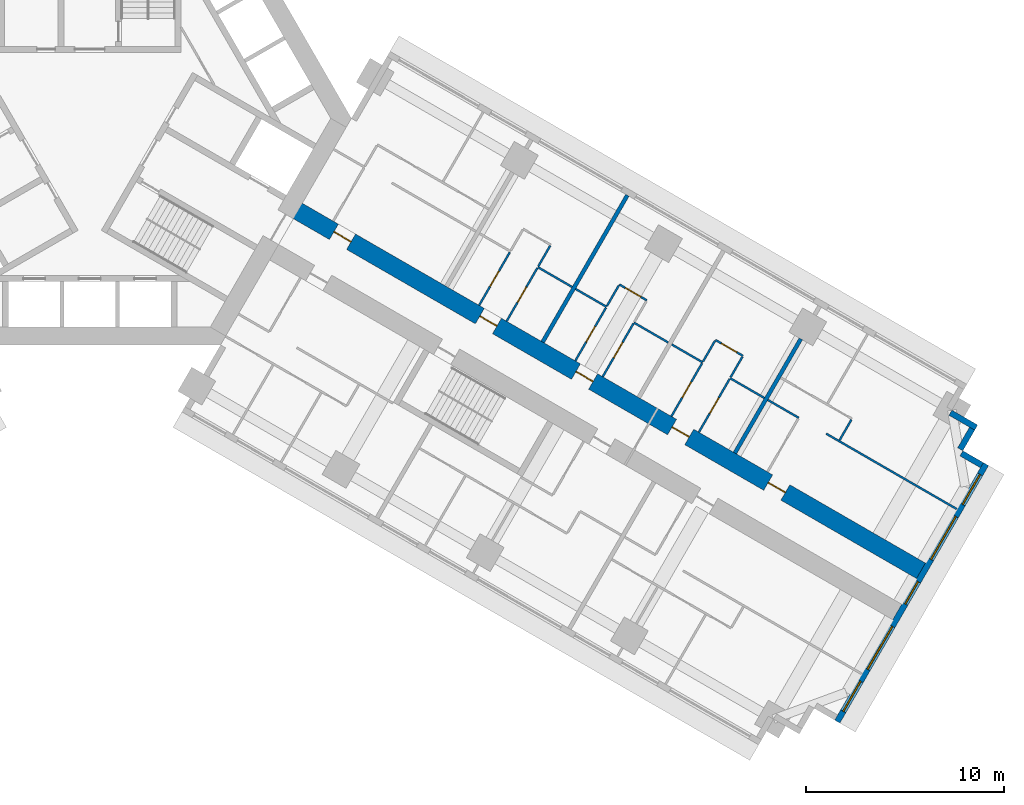
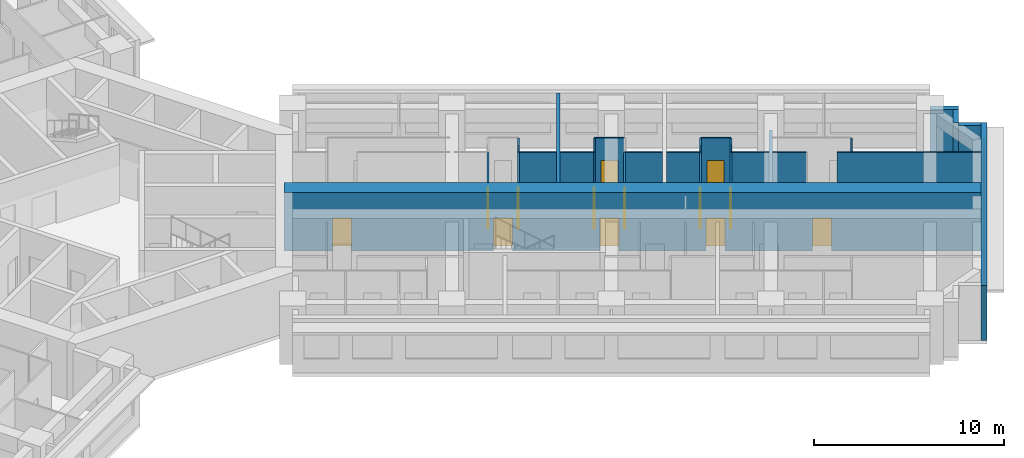
# One storey, part 12 of 16: 27 walls, 13 doors, 5 windows, 18 openings.
"""IFC4 building model written with IfcOpenShell, lengths in metres."""

from ifc_helpers import new_model, si_unit, direction, frame, frame_2d, origin, place, context, subcontext, project, spatial, rectangle, extrude, material, layer, layer_set, type_object, element, fill, save


model = new_model("IFC4")

# Units and contexts
model_context = context("Model", 3, precision=1e-05, world=origin(), true_north=direction((0.0, 1.0)))
body_context = subcontext(model_context, "Body", "Model", "MODEL_VIEW")
ifc_project = project(units=[si_unit("LENGTHUNIT", "METRE"), si_unit("AREAUNIT", "SQUARE_METRE"), si_unit("VOLUMEUNIT", "CUBIC_METRE"), si_unit("PLANEANGLEUNIT", "RADIAN"), si_unit("MASSUNIT", "GRAM", prefix="KILO")], contexts=[model_context])

# Site, building, storey
site_placement = place(None, origin())
site = spatial("IfcSite", under=ifc_project, at=site_placement, CompositionType="ELEMENT")
building_placement = place(site_placement, origin())
building = spatial("IfcBuilding", under=site, at=building_placement, Name="Impinga Residences", CompositionType="ELEMENT")
storey_placement = place(building_placement, frame((0.0, 0.0, 67.25)))
storey = spatial("IfcBuildingStorey", under=building, at=storey_placement, Name="L16", CompositionType="ELEMENT", Elevation=67.25)

# Wall, openings, doors
ifc_material_1 = material(Name="Concrete C70/85", Category="concrete")
ifc_layer_1 = layer(ifc_material_1, 0.89990234375)
ifc_layer_set_1 = layer_set([ifc_layer_1], Name="Concrete C70/85")
wall_type_1 = type_object("IfcWallType", Name="BW1 corridor buttress wall, L05 to L22 900", PredefinedType="SHEAR", material=ifc_layer_set_1)
wall_1_placement = place(storey_placement, frame((10.1103515625, -4.451416015625, 0.0), z_axis=(0.0, 0.0, 1.0), x_axis=(0.866025284237, -0.500000207062, 0.0)))
wall_1 = element("IfcWall", 1, at=wall_1_placement, inside=storey, type_object=wall_type_1, Name="Corridor wall BW1 EC L16", PredefinedType="SHEAR", context=body_context, shape_type="SweptSolid", body=[
    extrude(rectangle(XDim=36.75, YDim=0.89990234375, at=frame_2d((18.375, 0.0))), origin(), (0.0, 0.0, 1.0), 3.75),
])
opening_1_placement = place(wall_1_placement, frame((2.550048828125, 0.0, 0.0)))
opening_1 = element("IfcOpeningElement", 2, at=opening_1_placement, cuts=wall_1, Name="Opening D1", PredefinedType="OPENING", context=body_context, shape_type="SweptSolid", body=[
    extrude(rectangle(XDim=1.0, YDim=2.10009765625, at=frame_2d((0.5, 1.050048828125))), frame((0.0, 0.4599609375, 0.0), z_axis=(0.0, -1.0, 0.0), x_axis=(1.0, 0.0, 0.0)), (0.0, 0.0, 1.0), 0.919921875),
])
opening_2_placement = place(wall_1_placement, frame((11.050048828125, 0.0, 0.0)))
opening_2 = element("IfcOpeningElement", 3, at=opening_2_placement, cuts=wall_1, Name="Opening D1", PredefinedType="OPENING", context=body_context, shape_type="SweptSolid", body=[
    extrude(rectangle(XDim=1.0, YDim=2.10009765625, at=frame_2d((0.5, 1.050048828125))), frame((0.0, 0.4599609375, 0.0), z_axis=(0.0, -1.0, 0.0), x_axis=(1.0, 0.0, 0.0)), (0.0, 0.0, 1.0), 0.919921875),
])
opening_3_placement = place(wall_1_placement, frame((16.64990234375, 0.0, 0.0)))
opening_3 = element("IfcOpeningElement", 4, at=opening_3_placement, cuts=wall_1, Name="Opening D1", PredefinedType="OPENING", context=body_context, shape_type="SweptSolid", body=[
    extrude(rectangle(XDim=1.0, YDim=2.10009765625, at=frame_2d((0.5, 1.050048828125))), frame((0.0, 0.4599609375, 0.0), z_axis=(0.0, -1.0, 0.0), x_axis=(1.0, 0.0, 0.0)), (0.0, 0.0, 1.0), 0.919921875),
])
opening_4_placement = place(wall_1_placement, frame((22.25, 0.0, 0.0)))
opening_4 = element("IfcOpeningElement", 5, at=opening_4_placement, cuts=wall_1, Name="Opening D1", PredefinedType="OPENING", context=body_context, shape_type="SweptSolid", body=[
    extrude(rectangle(XDim=1.0, YDim=2.10009765625, at=frame_2d((0.5, 1.050048828125))), frame((0.0, 0.4599609375, 0.0), z_axis=(0.0, -1.0, 0.0), x_axis=(1.0, 0.0, 0.0)), (0.0, 0.0, 1.0), 0.919921875),
])
opening_5_placement = place(wall_1_placement, frame((27.85009765625, 0.0, 0.0)))
opening_5 = element("IfcOpeningElement", 6, at=opening_5_placement, cuts=wall_1, Name="Opening D1", PredefinedType="OPENING", context=body_context, shape_type="SweptSolid", body=[
    extrude(rectangle(XDim=1.0, YDim=2.10009765625, at=frame_2d((0.5, 1.050048828125))), frame((0.0, 0.4599609375, 0.0), z_axis=(0.0, -1.0, 0.0), x_axis=(1.0, 0.0, 0.0)), (0.0, 0.0, 1.0), 0.919921875),
])
ifc_material_2 = material(Name="Timber door set", Category="wood")
door_type_1 = type_object("IfcDoorType", Name="D1 apartment entrance door 1000x2100", OperationType="SINGLE_SWING_LEFT", PredefinedType="DOOR", material=ifc_material_2)
door_1_placement = place(opening_1_placement, origin())
door_1 = element("IfcDoor", 7, at=door_1_placement, inside=storey, type_object=door_type_1, Name="Apartment L16-EA1 entrance", OperationType="SINGLE_SWING_LEFT", OverallHeight=2.10009765625, OverallWidth=1.0, PredefinedType="DOOR", context=body_context, shape_type="SweptSolid", body=[
    extrude(rectangle(XDim=1.0, YDim=2.10009765625, at=frame_2d((0.5, 1.050048828125))), frame((0.0, 0.02490234375, 0.0), z_axis=(0.0, -1.0, 0.0), x_axis=(1.0, 0.0, 0.0)), (0.0, 0.0, 1.0), 0.050048828125),
])
fill(opening_1, door_1)
door_2_placement = place(opening_2_placement, origin())
door_2 = element("IfcDoor", 8, at=door_2_placement, inside=storey, type_object=door_type_1, Name="Apartment L16-EA2 entrance", OperationType="SINGLE_SWING_LEFT", OverallHeight=2.10009765625, OverallWidth=1.0, PredefinedType="DOOR", context=body_context, shape_type="SweptSolid", body=[
    extrude(rectangle(XDim=1.0, YDim=2.10009765625, at=frame_2d((0.5, 1.050048828125))), frame((0.0, 0.02490234375, 0.0), z_axis=(0.0, -1.0, 0.0), x_axis=(1.0, 0.0, 0.0)), (0.0, 0.0, 1.0), 0.050048828125),
])
fill(opening_2, door_2)
door_3_placement = place(opening_3_placement, origin())
door_3 = element("IfcDoor", 9, at=door_3_placement, inside=storey, type_object=door_type_1, Name="Apartment L16-EA3 entrance", OperationType="SINGLE_SWING_LEFT", OverallHeight=2.10009765625, OverallWidth=1.0, PredefinedType="DOOR", context=body_context, shape_type="SweptSolid", body=[
    extrude(rectangle(XDim=1.0, YDim=2.10009765625, at=frame_2d((0.5, 1.050048828125))), frame((0.0, 0.02490234375, 0.0), z_axis=(0.0, -1.0, 0.0), x_axis=(1.0, 0.0, 0.0)), (0.0, 0.0, 1.0), 0.050048828125),
])
fill(opening_3, door_3)
door_4_placement = place(opening_4_placement, origin())
door_4 = element("IfcDoor", 10, at=door_4_placement, inside=storey, type_object=door_type_1, Name="Apartment L16-EA4 entrance", OperationType="SINGLE_SWING_RIGHT", OverallHeight=2.10009765625, OverallWidth=1.0, PredefinedType="DOOR", context=body_context, shape_type="SweptSolid", body=[
    extrude(rectangle(XDim=1.0, YDim=2.10009765625, at=frame_2d((0.5, 1.050048828125))), frame((0.0, 0.02490234375, 0.0), z_axis=(0.0, -1.0, 0.0), x_axis=(1.0, 0.0, 0.0)), (0.0, 0.0, 1.0), 0.050048828125),
])
fill(opening_4, door_4)
door_5_placement = place(opening_5_placement, origin())
door_5 = element("IfcDoor", 11, at=door_5_placement, inside=storey, type_object=door_type_1, Name="Apartment L16-EA5 entrance", OperationType="SINGLE_SWING_RIGHT", OverallHeight=2.10009765625, OverallWidth=1.0, PredefinedType="DOOR", context=body_context, shape_type="SweptSolid", body=[
    extrude(rectangle(XDim=1.0, YDim=2.10009765625, at=frame_2d((0.5, 1.050048828125))), frame((0.0, 0.02490234375, 0.0), z_axis=(0.0, -1.0, 0.0), x_axis=(1.0, 0.0, 0.0)), (0.0, 0.0, 1.0), 0.050048828125),
])
fill(opening_5, door_5)

# Walls
ifc_material_3 = material(Name="Terracotta rainscreen on blockwork", Category="masonry")
ifc_layer_2 = layer(ifc_material_3, 0.300048828125)
ifc_layer_set_2 = layer_set([ifc_layer_2], Name="EW1 external wall, terracotta rainscreen on blockwork 300")
wall_type_2 = type_object("IfcWallType", Name="EW1 external wall, terracotta rainscreen on blockwork 300", PredefinedType="SOLIDWALL", material=ifc_layer_set_2)
wall_2_placement = place(storey_placement, frame((43.42333984375, -14.8515625, 0.0), z_axis=(0.0, 0.0, 1.0), x_axis=(0.866031096941, -0.499990139034, 0.0)))
element("IfcWall", 12, at=wall_2_placement, inside=storey, type_object=wall_type_2, Name="External wall EW1 L16", PredefinedType="SOLIDWALL", context=body_context, shape_type="SweptSolid", body=[
    extrude(rectangle(XDim=1.5, YDim=0.300048828125, at=frame_2d((0.75, 0.0))), origin(), (0.0, 0.0, 1.0), 3.530029296875),
])
wall_3_placement = place(storey_placement, frame((44.517578125, -15.65625, 0.0), z_axis=(0.0, 0.0, 1.0), x_axis=(-0.500033551112, -0.866006032174, 0.0)))
element("IfcWall", 13, at=wall_3_placement, inside=storey, type_object=wall_type_2, Name="External wall EW1 L16", PredefinedType="SOLIDWALL", context=body_context, shape_type="SweptSolid", body=[
    extrude(rectangle(XDim=1.2001953125, YDim=0.300048828125, at=frame_2d((0.60009765625, 0.0))), origin(), (0.0, 0.0, 1.0), 3.530029296875),
])
wall_4_placement = place(storey_placement, frame((43.976806640625, -16.903076171875, 0.0), z_axis=(0.0, 0.0, 1.0), x_axis=(0.866059708757, -0.499940577336, 0.0)))
element("IfcWall", 14, at=wall_4_placement, inside=storey, type_object=wall_type_2, Name="External wall EW1 L16", PredefinedType="SOLIDWALL", context=body_context, shape_type="SweptSolid", body=[
    extrude(rectangle(XDim=1.195068359375, YDim=0.300048828125, at=frame_2d((0.59765625, 0.0))), origin(), (0.0, 0.0, 1.0), 3.530029296875),
])

# Wall, openings, windows
wall_5_placement = place(storey_placement, frame((45.216552734375, -17.445556640625, 0.0), z_axis=(0.0, 0.0, 1.0), x_axis=(-0.499997186618, -0.866027028085, 0.0)))
wall_5 = element("IfcWall", 15, at=wall_5_placement, inside=storey, type_object=wall_type_2, Name="External wall EW1 L16", PredefinedType="SOLIDWALL", context=body_context, shape_type="SweptSolid", body=[
    extrude(rectangle(XDim=15.0, YDim=0.300048828125, at=frame_2d((7.5, 0.0))), origin(), (0.0, 0.0, 1.0), 3.530029296875),
])
opening_6_placement = place(wall_5_placement, frame((0.60009765625, 0.0, 0.89990234375)))
opening_6 = element("IfcOpeningElement", 16, at=opening_6_placement, cuts=wall_5, Name="Opening W1", PredefinedType="OPENING", context=body_context, shape_type="SweptSolid", body=[
    extrude(rectangle(XDim=1.75, YDim=2.050048828125, at=frame_2d((0.875, 1.02490234375))), frame((0.0, 0.159912109375, 0.0), z_axis=(0.0, -1.0, 0.0), x_axis=(1.0, 0.0, 0.0)), (0.0, 0.0, 1.0), 0.320068359375),
])
opening_7_placement = place(wall_5_placement, frame((3.050048828125, 0.0, 0.89990234375)))
opening_7 = element("IfcOpeningElement", 17, at=opening_7_placement, cuts=wall_5, Name="Opening W2", PredefinedType="OPENING", context=body_context, shape_type="SweptSolid", body=[
    extrude(rectangle(XDim=2.5, YDim=2.050048828125, at=frame_2d((1.25, 1.02490234375))), frame((0.0, 0.159912109375, 0.0), z_axis=(0.0, -1.0, 0.0), x_axis=(1.0, 0.0, 0.0)), (0.0, 0.0, 1.0), 0.320068359375),
])
opening_8_placement = place(wall_5_placement, frame((6.85009765625, 0.0, 0.89990234375)))
opening_8 = element("IfcOpeningElement", 18, at=opening_8_placement, cuts=wall_5, Name="Opening WE1", PredefinedType="OPENING", context=body_context, shape_type="SweptSolid", body=[
    extrude(rectangle(XDim=1.300048828125, YDim=2.050048828125, at=frame_2d((0.64990234375, 1.02490234375))), frame((0.0, 0.159912109375, 0.0), z_axis=(0.0, -1.0, 0.0), x_axis=(1.0, 0.0, 0.0)), (0.0, 0.0, 1.0), 0.320068359375),
])
opening_9_placement = place(wall_5_placement, frame((9.449951171875, 0.0, 0.89990234375)))
opening_9 = element("IfcOpeningElement", 19, at=opening_9_placement, cuts=wall_5, Name="Opening W2", PredefinedType="OPENING", context=body_context, shape_type="SweptSolid", body=[
    extrude(rectangle(XDim=2.5, YDim=2.050048828125, at=frame_2d((1.25, 1.02490234375))), frame((0.0, 0.159912109375, 0.0), z_axis=(0.0, -1.0, 0.0), x_axis=(1.0, 0.0, 0.0)), (0.0, 0.0, 1.0), 0.320068359375),
])
opening_10_placement = place(wall_5_placement, frame((12.64990234375, 0.0, 0.89990234375)))
opening_10 = element("IfcOpeningElement", 20, at=opening_10_placement, cuts=wall_5, Name="Opening W1", PredefinedType="OPENING", context=body_context, shape_type="SweptSolid", body=[
    extrude(rectangle(XDim=1.75, YDim=2.050048828125, at=frame_2d((0.875, 1.02490234375))), frame((0.0, 0.159912109375, 0.0), z_axis=(0.0, -1.0, 0.0), x_axis=(1.0, 0.0, 0.0)), (0.0, 0.0, 1.0), 0.320068359375),
])
ifc_material_4 = material(Name="Aluminium window, clear double glazing", Category="aluminium")
window_type_1 = type_object("IfcWindowType", Name="W1 ribbon window 1750x2050", PartitioningType="SINGLE_PANEL", PredefinedType="WINDOW", material=ifc_material_4)
window_1_placement = place(opening_6_placement, origin())
window_1 = element("IfcWindow", 21, at=window_1_placement, inside=storey, type_object=window_type_1, Name="Window L16", OverallHeight=2.050048828125, OverallWidth=1.75, PartitioningType="SINGLE_PANEL", PredefinedType="WINDOW", context=body_context, shape_type="SweptSolid", body=[
    extrude(rectangle(XDim=1.75, YDim=2.050048828125, at=frame_2d((0.875, 1.02490234375))), frame((0.0, 0.030029296875, 0.0), z_axis=(0.0, -1.0, 0.0), x_axis=(1.0, 0.0, 0.0)), (0.0, 0.0, 1.0), 0.06005859375),
])
fill(opening_6, window_1)
window_2_placement = place(opening_10_placement, origin())
window_2 = element("IfcWindow", 22, at=window_2_placement, inside=storey, type_object=window_type_1, Name="Window L16", OverallHeight=2.050048828125, OverallWidth=1.75, PartitioningType="SINGLE_PANEL", PredefinedType="WINDOW", context=body_context, shape_type="SweptSolid", body=[
    extrude(rectangle(XDim=1.75, YDim=2.050048828125, at=frame_2d((0.875, 1.02490234375))), frame((0.0, 0.030029296875, 0.0), z_axis=(0.0, -1.0, 0.0), x_axis=(1.0, 0.0, 0.0)), (0.0, 0.0, 1.0), 0.06005859375),
])
fill(opening_10, window_2)
window_type_2 = type_object("IfcWindowType", Name="W2 ribbon window 2500x2050", PartitioningType="SINGLE_PANEL", PredefinedType="WINDOW", material=ifc_material_4)
window_3_placement = place(opening_7_placement, origin())
window_3 = element("IfcWindow", 23, at=window_3_placement, inside=storey, type_object=window_type_2, Name="Window L16", OverallHeight=2.050048828125, OverallWidth=2.5, PartitioningType="SINGLE_PANEL", PredefinedType="WINDOW", context=body_context, shape_type="SweptSolid", body=[
    extrude(rectangle(XDim=2.5, YDim=2.050048828125, at=frame_2d((1.25, 1.02490234375))), frame((0.0, 0.030029296875, 0.0), z_axis=(0.0, -1.0, 0.0), x_axis=(1.0, 0.0, 0.0)), (0.0, 0.0, 1.0), 0.06005859375),
])
fill(opening_7, window_3)
window_4_placement = place(opening_9_placement, origin())
window_4 = element("IfcWindow", 24, at=window_4_placement, inside=storey, type_object=window_type_2, Name="Window L16", OverallHeight=2.050048828125, OverallWidth=2.5, PartitioningType="SINGLE_PANEL", PredefinedType="WINDOW", context=body_context, shape_type="SweptSolid", body=[
    extrude(rectangle(XDim=2.5, YDim=2.050048828125, at=frame_2d((1.25, 1.02490234375))), frame((0.0, 0.030029296875, 0.0), z_axis=(0.0, -1.0, 0.0), x_axis=(1.0, 0.0, 0.0)), (0.0, 0.0, 1.0), 0.06005859375),
])
fill(opening_9, window_4)
window_type_3 = type_object("IfcWindowType", Name="WE1 corridor window 1300x2050", PartitioningType="SINGLE_PANEL", PredefinedType="WINDOW", material=ifc_material_4)
window_5_placement = place(opening_8_placement, origin())
window_5 = element("IfcWindow", 25, at=window_5_placement, inside=storey, type_object=window_type_3, Name="Window L16", OverallHeight=2.050048828125, OverallWidth=1.300048828125, PartitioningType="SINGLE_PANEL", PredefinedType="WINDOW", context=body_context, shape_type="SweptSolid", body=[
    extrude(rectangle(XDim=1.300048828125, YDim=2.050048828125, at=frame_2d((0.64990234375, 1.02490234375))), frame((0.0, 0.030029296875, 0.0), z_axis=(0.0, -1.0, 0.0), x_axis=(1.0, 0.0, 0.0)), (0.0, 0.0, 1.0), 0.06005859375),
])
fill(opening_8, window_5)

# Walls
ifc_material_5 = material(Name="Gypsum board on steel studs", Category="steel")
ifc_layer_3 = layer(ifc_material_5, 0.10009765625)
ifc_layer_set_3 = layer_set([ifc_layer_3], Name="Gypsum board on steel studs")
wall_type_3 = type_object("IfcWallType", Name="IP1 partition 100", PredefinedType="PARTITIONING", material=ifc_layer_set_3)
wall_6_placement = place(storey_placement, frame((22.605712890625, -7.5087890625, 0.0), z_axis=(0.0, 0.0, 1.0), x_axis=(0.866010750942, -0.50002537861, 0.0)))
element("IfcWall", 26, at=wall_6_placement, inside=storey, type_object=wall_type_3, Name="Partition L16-EA2:DIV1", PredefinedType="PARTITIONING", context=body_context, shape_type="SweptSolid", body=[
    extrude(rectangle(XDim=2.0, YDim=0.10009765625, at=frame_2d((1.0, 0.0))), origin(), (0.0, 0.0, 1.0), 3.530029296875),
])
wall_7_placement = place(storey_placement, frame((22.630615234375, -7.465576171875, 0.0), z_axis=(0.0, 0.0, 1.0), x_axis=(0.500033551112, 0.866006032174, 0.0)))
element("IfcWall", 27, at=wall_7_placement, inside=storey, type_object=wall_type_3, Name="Partition L16-EA2:SE1", PredefinedType="PARTITIONING", context=body_context, shape_type="SweptSolid", body=[
    extrude(rectangle(XDim=1.2001953125, YDim=0.10009765625, at=frame_2d((0.60009765625, 0.0))), origin(), (0.0, 0.0, 1.0), 3.530029296875),
])

# Wall, opening, door
wall_8_placement = place(storey_placement, frame((19.64501953125, -9.436767578125, 0.0), z_axis=(0.0, 0.0, 1.0), x_axis=(0.500026960575, 0.86600983753, 0.0)))
wall_8 = element("IfcWall", 28, at=wall_8_placement, inside=storey, type_object=wall_type_3, Name="Partition L16-EA2:IB1", PredefinedType="PARTITIONING", context=body_context, shape_type="SweptSolid", body=[
    extrude(rectangle(XDim=3.099853515625, YDim=0.10009765625, at=frame_2d((1.5498046875, 0.0))), origin(), (0.0, 0.0, 1.0), 3.530029296875),
])
opening_11_placement = place(wall_8_placement, frame((1.10009765625, 0.0, 0.0)))
opening_11 = element("IfcOpeningElement", 29, at=opening_11_placement, cuts=wall_8, Name="Opening D2", PredefinedType="OPENING", context=body_context, shape_type="SweptSolid", body=[
    extrude(rectangle(XDim=0.89990234375, YDim=2.10009765625, at=frame_2d((0.449951171875, 1.050048828125))), frame((0.0, 0.06005859375, 0.0), z_axis=(0.0, -1.0, 0.0), x_axis=(1.0, 0.0, 0.0)), (0.0, 0.0, 1.0), 0.1201171875),
])
door_type_2 = type_object("IfcDoorType", Name="D2 internal door 900x2100", OperationType="SINGLE_SWING_LEFT", PredefinedType="DOOR", material=ifc_material_2)
door_6_placement = place(opening_11_placement, origin())
door_6 = element("IfcDoor", 30, at=door_6_placement, inside=storey, type_object=door_type_2, Name="Apartment L16-EA2 bathroom door", OperationType="SINGLE_SWING_LEFT", OverallHeight=2.10009765625, OverallWidth=0.89990234375, PredefinedType="DOOR", context=body_context, shape_type="SweptSolid", body=[
    extrude(rectangle(XDim=0.89990234375, YDim=2.10009765625, at=frame_2d((0.449951171875, 1.050048828125))), frame((0.0, 0.02490234375, 0.0), z_axis=(0.0, -1.0, 0.0), x_axis=(1.0, 0.0, 0.0)), (0.0, 0.0, 1.0), 0.050048828125),
])
fill(opening_11, door_6)

wall_9_placement = place(storey_placement, frame((21.03076171875, -10.23681640625, 0.0), z_axis=(0.0, 0.0, 1.0), x_axis=(0.500026960575, 0.86600983753, 0.0)))
wall_9 = element("IfcWall", 31, at=wall_9_placement, inside=storey, type_object=wall_type_3, Name="Partition L16-EA2:IB2", PredefinedType="PARTITIONING", context=body_context, shape_type="SweptSolid", body=[
    extrude(rectangle(XDim=3.099853515625, YDim=0.10009765625, at=frame_2d((1.5498046875, 0.0))), origin(), (0.0, 0.0, 1.0), 3.530029296875),
])
opening_12_placement = place(wall_9_placement, frame((1.10009765625, 0.0, 0.0)))
opening_12 = element("IfcOpeningElement", 32, at=opening_12_placement, cuts=wall_9, Name="Opening D2", PredefinedType="OPENING", context=body_context, shape_type="SweptSolid", body=[
    extrude(rectangle(XDim=0.89990234375, YDim=2.10009765625, at=frame_2d((0.449951171875, 1.050048828125))), frame((0.0, 0.06005859375, 0.0), z_axis=(0.0, -1.0, 0.0), x_axis=(1.0, 0.0, 0.0)), (0.0, 0.0, 1.0), 0.1201171875),
])
door_7_placement = place(opening_12_placement, origin())
door_7 = element("IfcDoor", 33, at=door_7_placement, inside=storey, type_object=door_type_2, Name="Apartment L16-EA2 WC door", OperationType="SINGLE_SWING_LEFT", OverallHeight=2.10009765625, OverallWidth=0.89990234375, PredefinedType="DOOR", context=body_context, shape_type="SweptSolid", body=[
    extrude(rectangle(XDim=0.89990234375, YDim=2.10009765625, at=frame_2d((0.449951171875, 1.050048828125))), frame((0.0, 0.02490234375, 0.0), z_axis=(0.0, -1.0, 0.0), x_axis=(1.0, 0.0, 0.0)), (0.0, 0.0, 1.0), 0.050048828125),
])
fill(opening_12, door_7)

# Walls
wall_10_placement = place(storey_placement, frame((24.510986328125, -8.60888671875, 0.0), z_axis=(0.0, 0.0, 1.0), x_axis=(0.866047807691, -0.499961193289, 0.0)))
element("IfcWall", 34, at=wall_10_placement, inside=storey, type_object=wall_type_3, Name="Partition L16-EA3:DIV0", PredefinedType="PARTITIONING", context=body_context, shape_type="SweptSolid", body=[
    extrude(rectangle(XDim=1.800048828125, YDim=0.10009765625, at=frame_2d((0.89990234375, 0.0))), origin(), (0.0, 0.0, 1.0), 3.530029296875),
])
wall_11_placement = place(storey_placement, frame((27.45556640625, -10.308837890625, 0.0), z_axis=(0.0, 0.0, 1.0), x_axis=(0.866010750942, -0.50002537861, 0.0)))
element("IfcWall", 35, at=wall_11_placement, inside=storey, type_object=wall_type_3, Name="Partition L16-EA3:DIV1", PredefinedType="PARTITIONING", context=body_context, shape_type="SweptSolid", body=[
    extrude(rectangle(XDim=2.0, YDim=0.10009765625, at=frame_2d((1.0, 0.0))), origin(), (0.0, 0.0, 1.0), 3.530029296875),
])

# Wall, opening, door
wall_12_placement = place(storey_placement, frame((26.7197265625, -8.383056640625, 0.0), z_axis=(0.0, 0.0, 1.0), x_axis=(0.866028054938, -0.499995408039, 0.0)))
wall_12 = element("IfcWall", 36, at=wall_12_placement, inside=storey, type_object=wall_type_3, Name="Partition L16-EA3:STRIP", PredefinedType="PARTITIONING", context=body_context, shape_type="SweptSolid", body=[
    extrude(rectangle(XDim=1.60009765625, YDim=0.10009765625, at=frame_2d((0.800048828125, 0.0))), origin(), (0.0, 0.0, 1.0), 3.530029296875),
])
opening_13_placement = place(wall_12_placement, frame((0.35009765625, 0.0, 0.0)))
opening_13 = element("IfcOpeningElement", 37, at=opening_13_placement, cuts=wall_12, Name="Opening D2", PredefinedType="OPENING", context=body_context, shape_type="SweptSolid", body=[
    extrude(rectangle(XDim=0.89990234375, YDim=2.10009765625, at=frame_2d((0.449951171875, 1.050048828125))), frame((0.0, 0.06005859375, 0.0), z_axis=(0.0, -1.0, 0.0), x_axis=(1.0, 0.0, 0.0)), (0.0, 0.0, 1.0), 0.1201171875),
])
door_8_placement = place(opening_13_placement, origin())
door_8 = element("IfcDoor", 38, at=door_8_placement, inside=storey, type_object=door_type_2, Name="Apartment L16-EA3 room door", OperationType="SINGLE_SWING_LEFT", OverallHeight=2.10009765625, OverallWidth=0.89990234375, PredefinedType="DOOR", context=body_context, shape_type="SweptSolid", body=[
    extrude(rectangle(XDim=0.89990234375, YDim=2.10009765625, at=frame_2d((0.449951171875, 1.050048828125))), frame((0.0, 0.02490234375, 0.0), z_axis=(0.0, -1.0, 0.0), x_axis=(1.0, 0.0, 0.0)), (0.0, 0.0, 1.0), 0.050048828125),
])
fill(opening_13, door_8)

# Wall
wall_13_placement = place(storey_placement, frame((26.0947265625, -9.465576171875, 0.0), z_axis=(0.0, 0.0, 1.0), x_axis=(0.500033551112, 0.866006032174, 0.0)))
element("IfcWall", 39, at=wall_13_placement, inside=storey, type_object=wall_type_3, Name="Partition L16-EA3:SE0", PredefinedType="PARTITIONING", context=body_context, shape_type="SweptSolid", body=[
    extrude(rectangle(XDim=1.2001953125, YDim=0.10009765625, at=frame_2d((0.60009765625, 0.0))), origin(), (0.0, 0.0, 1.0), 3.530029296875),
])

# Wall, opening, door
wall_14_placement = place(storey_placement, frame((24.494873046875, -12.23681640625, 0.0), z_axis=(0.0, 0.0, 1.0), x_axis=(0.500026960575, 0.86600983753, 0.0)))
wall_14 = element("IfcWall", 40, at=wall_14_placement, inside=storey, type_object=wall_type_3, Name="Partition L16-EA3:IB1", PredefinedType="PARTITIONING", context=body_context, shape_type="SweptSolid", body=[
    extrude(rectangle(XDim=3.099853515625, YDim=0.10009765625, at=frame_2d((1.5498046875, 0.0))), origin(), (0.0, 0.0, 1.0), 3.530029296875),
])
opening_14_placement = place(wall_14_placement, frame((1.10009765625, 0.0, 0.0)))
opening_14 = element("IfcOpeningElement", 41, at=opening_14_placement, cuts=wall_14, Name="Opening D2", PredefinedType="OPENING", context=body_context, shape_type="SweptSolid", body=[
    extrude(rectangle(XDim=0.89990234375, YDim=2.10009765625, at=frame_2d((0.449951171875, 1.050048828125))), frame((0.0, 0.06005859375, 0.0), z_axis=(0.0, -1.0, 0.0), x_axis=(1.0, 0.0, 0.0)), (0.0, 0.0, 1.0), 0.1201171875),
])
door_9_placement = place(opening_14_placement, origin())
door_9 = element("IfcDoor", 42, at=door_9_placement, inside=storey, type_object=door_type_2, Name="Apartment L16-EA3 bathroom door", OperationType="SINGLE_SWING_LEFT", OverallHeight=2.10009765625, OverallWidth=0.89990234375, PredefinedType="DOOR", context=body_context, shape_type="SweptSolid", body=[
    extrude(rectangle(XDim=0.89990234375, YDim=2.10009765625, at=frame_2d((0.449951171875, 1.050048828125))), frame((0.0, 0.02490234375, 0.0), z_axis=(0.0, -1.0, 0.0), x_axis=(1.0, 0.0, 0.0)), (0.0, 0.0, 1.0), 0.050048828125),
])
fill(opening_14, door_9)

wall_15_placement = place(storey_placement, frame((25.88037109375, -13.036865234375, 0.0), z_axis=(0.0, 0.0, 1.0), x_axis=(0.49999285859, 0.86602952684, 0.0)))
wall_15 = element("IfcWall", 43, at=wall_15_placement, inside=storey, type_object=wall_type_3, Name="Partition L16-EA3:IB2", PredefinedType="PARTITIONING", context=body_context, shape_type="SweptSolid", body=[
    extrude(rectangle(XDim=3.10009765625, YDim=0.10009765625, at=frame_2d((1.550048828125, 0.0))), origin(), (0.0, 0.0, 1.0), 3.530029296875),
])
opening_15_placement = place(wall_15_placement, frame((1.10009765625, 0.0, 0.0)))
opening_15 = element("IfcOpeningElement", 44, at=opening_15_placement, cuts=wall_15, Name="Opening D2", PredefinedType="OPENING", context=body_context, shape_type="SweptSolid", body=[
    extrude(rectangle(XDim=0.89990234375, YDim=2.10009765625, at=frame_2d((0.449951171875, 1.050048828125))), frame((0.0, 0.06005859375, 0.0), z_axis=(0.0, -1.0, 0.0), x_axis=(1.0, 0.0, 0.0)), (0.0, 0.0, 1.0), 0.1201171875),
])
door_10_placement = place(opening_15_placement, origin())
door_10 = element("IfcDoor", 45, at=door_10_placement, inside=storey, type_object=door_type_2, Name="Apartment L16-EA3 WC door", OperationType="SINGLE_SWING_LEFT", OverallHeight=2.10009765625, OverallWidth=0.89990234375, PredefinedType="DOOR", context=body_context, shape_type="SweptSolid", body=[
    extrude(rectangle(XDim=0.89990234375, YDim=2.10009765625, at=frame_2d((0.449951171875, 1.050048828125))), frame((0.0, 0.02490234375, 0.0), z_axis=(0.0, -1.0, 0.0), x_axis=(1.0, 0.0, 0.0)), (0.0, 0.0, 1.0), 0.050048828125),
])
fill(opening_15, door_10)

# Walls
wall_16_placement = place(storey_placement, frame((29.360595703125, -11.408935546875, 0.0), z_axis=(0.0, 0.0, 1.0), x_axis=(0.866047807691, -0.499961193289, 0.0)))
element("IfcWall", 46, at=wall_16_placement, inside=storey, type_object=wall_type_3, Name="Partition L16-EA4:DIV0", PredefinedType="PARTITIONING", context=body_context, shape_type="SweptSolid", body=[
    extrude(rectangle(XDim=1.800048828125, YDim=0.10009765625, at=frame_2d((0.89990234375, 0.0))), origin(), (0.0, 0.0, 1.0), 3.530029296875),
])
wall_17_placement = place(storey_placement, frame((32.30517578125, -13.10888671875, 0.0), z_axis=(0.0, 0.0, 1.0), x_axis=(0.866041268327, -0.499972520799, 0.0)))
element("IfcWall", 47, at=wall_17_placement, inside=storey, type_object=wall_type_3, Name="Partition L16-EA4:DIV1", PredefinedType="PARTITIONING", context=body_context, shape_type="SweptSolid", body=[
    extrude(rectangle(XDim=2.0, YDim=0.10009765625, at=frame_2d((1.0, 0.0))), origin(), (0.0, 0.0, 1.0), 3.530029296875),
])

# Wall, opening, door
wall_18_placement = place(storey_placement, frame((31.569580078125, -11.18310546875, 0.0), z_axis=(0.0, 0.0, 1.0), x_axis=(0.866055983265, -0.499947031044, 0.0)))
wall_18 = element("IfcWall", 48, at=wall_18_placement, inside=storey, type_object=wall_type_3, Name="Partition L16-EA4:STRIP", PredefinedType="PARTITIONING", context=body_context, shape_type="SweptSolid", body=[
    extrude(rectangle(XDim=1.599853515625, YDim=0.10009765625, at=frame_2d((0.7998046875, 0.0))), origin(), (0.0, 0.0, 1.0), 3.530029296875),
])
opening_16_placement = place(wall_18_placement, frame((0.35009765625, 0.0, 0.0)))
opening_16 = element("IfcOpeningElement", 49, at=opening_16_placement, cuts=wall_18, Name="Opening D2", PredefinedType="OPENING", context=body_context, shape_type="SweptSolid", body=[
    extrude(rectangle(XDim=0.89990234375, YDim=2.10009765625, at=frame_2d((0.449951171875, 1.050048828125))), frame((0.0, 0.06005859375, 0.0), z_axis=(0.0, -1.0, 0.0), x_axis=(1.0, 0.0, 0.0)), (0.0, 0.0, 1.0), 0.1201171875),
])
door_11_placement = place(opening_16_placement, origin())
door_11 = element("IfcDoor", 50, at=door_11_placement, inside=storey, type_object=door_type_2, Name="Apartment L16-EA4 room door", OperationType="SINGLE_SWING_LEFT", OverallHeight=2.10009765625, OverallWidth=0.89990234375, PredefinedType="DOOR", context=body_context, shape_type="SweptSolid", body=[
    extrude(rectangle(XDim=0.89990234375, YDim=2.10009765625, at=frame_2d((0.449951171875, 1.050048828125))), frame((0.0, 0.02490234375, 0.0), z_axis=(0.0, -1.0, 0.0), x_axis=(1.0, 0.0, 0.0)), (0.0, 0.0, 1.0), 0.050048828125),
])
fill(opening_16, door_11)

# Walls
for number, where, z_axis, x_axis, name in (
    (51, (30.944580078125, -12.265625, 0.0), (0.0, 0.0, 1.0), (0.499880961361, 0.866094119867, 0.0), "Partition L16-EA4:SE0"),
    (52, (32.330078125, -13.0654296875, 0.0), (0.0, 0.0, 1.0), (0.50012165622, 0.865955154139, 0.0), "Partition L16-EA4:SE1"),
):
    element("IfcWall", number, at=place(storey_placement, frame(where, z_axis=z_axis, x_axis=x_axis)), inside=storey, type_object=wall_type_3, Name=name, PredefinedType="PARTITIONING", context=body_context, shape_type="SweptSolid", body=[
        extrude(rectangle(XDim=1.199951171875, YDim=0.10009765625, at=frame_2d((0.60009765625, 0.0))), origin(), (0.0, 0.0, 1.0), 3.530029296875),
    ])

# Wall, opening, door
wall_19_placement = place(storey_placement, frame((29.344482421875, -15.036865234375, 0.0), z_axis=(0.0, 0.0, 1.0), x_axis=(0.49999285859, 0.86602952684, 0.0)))
wall_19 = element("IfcWall", 53, at=wall_19_placement, inside=storey, type_object=wall_type_3, Name="Partition L16-EA4:IB1", PredefinedType="PARTITIONING", context=body_context, shape_type="SweptSolid", body=[
    extrude(rectangle(XDim=3.10009765625, YDim=0.10009765625, at=frame_2d((1.550048828125, 0.0))), origin(), (0.0, 0.0, 1.0), 3.530029296875),
])
opening_17_placement = place(wall_19_placement, frame((1.10009765625, 0.0, 0.0)))
opening_17 = element("IfcOpeningElement", 54, at=opening_17_placement, cuts=wall_19, Name="Opening D2", PredefinedType="OPENING", context=body_context, shape_type="SweptSolid", body=[
    extrude(rectangle(XDim=0.89990234375, YDim=2.10009765625, at=frame_2d((0.449951171875, 1.050048828125))), frame((0.0, 0.06005859375, 0.0), z_axis=(0.0, -1.0, 0.0), x_axis=(1.0, 0.0, 0.0)), (0.0, 0.0, 1.0), 0.1201171875),
])
door_12_placement = place(opening_17_placement, origin())
door_12 = element("IfcDoor", 55, at=door_12_placement, inside=storey, type_object=door_type_2, Name="Apartment L16-EA4 bathroom door", OperationType="SINGLE_SWING_LEFT", OverallHeight=2.10009765625, OverallWidth=0.89990234375, PredefinedType="DOOR", context=body_context, shape_type="SweptSolid", body=[
    extrude(rectangle(XDim=0.89990234375, YDim=2.10009765625, at=frame_2d((0.449951171875, 1.050048828125))), frame((0.0, 0.02490234375, 0.0), z_axis=(0.0, -1.0, 0.0), x_axis=(1.0, 0.0, 0.0)), (0.0, 0.0, 1.0), 0.050048828125),
])
fill(opening_17, door_12)

wall_20_placement = place(storey_placement, frame((30.730224609375, -15.8369140625, 0.0), z_axis=(0.0, 0.0, 1.0), x_axis=(0.49999285859, 0.86602952684, 0.0)))
wall_20 = element("IfcWall", 56, at=wall_20_placement, inside=storey, type_object=wall_type_3, Name="Partition L16-EA4:IB2", PredefinedType="PARTITIONING", context=body_context, shape_type="SweptSolid", body=[
    extrude(rectangle(XDim=3.10009765625, YDim=0.10009765625, at=frame_2d((1.550048828125, 0.0))), origin(), (0.0, 0.0, 1.0), 3.530029296875),
])
opening_18_placement = place(wall_20_placement, frame((1.10009765625, 0.0, 0.0)))
opening_18 = element("IfcOpeningElement", 57, at=opening_18_placement, cuts=wall_20, Name="Opening D2", PredefinedType="OPENING", context=body_context, shape_type="SweptSolid", body=[
    extrude(rectangle(XDim=0.89990234375, YDim=2.10009765625, at=frame_2d((0.449951171875, 1.050048828125))), frame((0.0, 0.06005859375, 0.0), z_axis=(0.0, -1.0, 0.0), x_axis=(1.0, 0.0, 0.0)), (0.0, 0.0, 1.0), 0.1201171875),
])
door_13_placement = place(opening_18_placement, origin())
door_13 = element("IfcDoor", 58, at=door_13_placement, inside=storey, type_object=door_type_2, Name="Apartment L16-EA4 WC door", OperationType="SINGLE_SWING_LEFT", OverallHeight=2.10009765625, OverallWidth=0.89990234375, PredefinedType="DOOR", context=body_context, shape_type="SweptSolid", body=[
    extrude(rectangle(XDim=0.89990234375, YDim=2.10009765625, at=frame_2d((0.449951171875, 1.050048828125))), frame((0.0, 0.02490234375, 0.0), z_axis=(0.0, -1.0, 0.0), x_axis=(1.0, 0.0, 0.0)), (0.0, 0.0, 1.0), 0.050048828125),
])
fill(opening_18, door_13)

# Walls
wall_21_placement = place(storey_placement, frame((34.21044921875, -14.208740234375, 0.0), z_axis=(0.0, 0.0, 1.0), x_axis=(0.865989075817, -0.500062916607, 0.0)))
element("IfcWall", 59, at=wall_21_placement, inside=storey, type_object=wall_type_3, Name="Partition L16-EA5:DIV0", PredefinedType="PARTITIONING", context=body_context, shape_type="SweptSolid", body=[
    extrude(rectangle(XDim=1.800048828125, YDim=0.10009765625, at=frame_2d((0.89990234375, 0.0))), origin(), (0.0, 0.0, 1.0), 3.530029296875),
])
wall_22_placement = place(storey_placement, frame((37.155029296875, -15.908935546875, 0.0), z_axis=(0.0, 0.0, 1.0), x_axis=(0.866036335692, -0.499981064903, 0.0)))
element("IfcWall", 60, at=wall_22_placement, inside=storey, type_object=wall_type_3, Name="Partition L16-EA5:DIV1", PredefinedType="PARTITIONING", context=body_context, shape_type="SweptSolid", body=[
    extrude(rectangle(XDim=7.599853515625, YDim=0.10009765625, at=frame_2d((3.7998046875, 0.0))), origin(), (0.0, 0.0, 1.0), 3.530029296875),
])
wall_23_placement = place(storey_placement, frame((37.829345703125, -16.240478515625, 0.0), z_axis=(0.0, 0.0, 1.0), x_axis=(0.50012165622, 0.865955154139, 0.0)))
element("IfcWall", 61, at=wall_23_placement, inside=storey, type_object=wall_type_3, Name="Partition L16-EA5:SE1", PredefinedType="PARTITIONING", context=body_context, shape_type="SweptSolid", body=[
    extrude(rectangle(XDim=1.199951171875, YDim=0.10009765625, at=frame_2d((0.60009765625, 0.0))), origin(), (0.0, 0.0, 1.0), 3.530029296875),
])
ifc_material_6 = material(Name="Concrete blockwork", Category="masonry")
ifc_layer_4 = layer(ifc_material_6, 0.199951171875)
ifc_layer_set_4 = layer_set([ifc_layer_4], Name="PW1 party wall between apartments 200")
wall_type_4 = type_object("IfcWallType", Name="PW1 party wall between apartments 200", PredefinedType="SOLIDWALL", material=ifc_layer_set_4)
wall_24_placement = place(storey_placement, frame((22.849365234375, -11.286865234375, 0.0), z_axis=(0.0, 0.0, 1.0), x_axis=(0.499990227581, 0.86603104582, 0.0)))
element("IfcWall", 62, at=wall_24_placement, inside=storey, type_object=wall_type_4, Name="Party wall between apartments L16-EA2:PARTY", PredefinedType="SOLIDWALL", context=body_context, shape_type="SweptSolid", body=[
    extrude(rectangle(XDim=8.550048828125, YDim=0.199951171875, at=frame_2d((4.27490234375, 0.0))), origin(), (0.0, 0.0, 1.0), 3.530029296875),
])
wall_25_placement = place(storey_placement, frame((32.548828125, -16.88671875, 0.0), z_axis=(0.0, 0.0, 1.0), x_axis=(0.49999681972, 0.866027239912, 0.0)))
element("IfcWall", 63, at=wall_25_placement, inside=storey, type_object=wall_type_4, Name="Party wall between apartments L16-EA4:PARTY", PredefinedType="SOLIDWALL", context=body_context, shape_type="SweptSolid", body=[
    extrude(rectangle(XDim=6.64990234375, YDim=0.199951171875, at=frame_2d((3.324951171875, 0.0))), origin(), (0.0, 0.0, 1.0), 2.47998046875),
])

save(model, "model.ifc")
